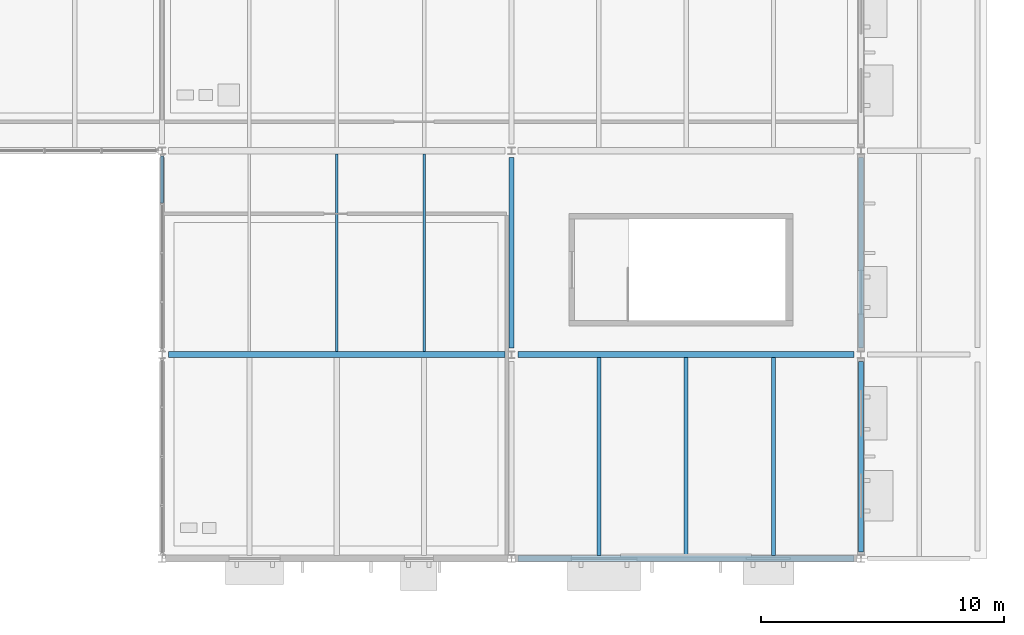
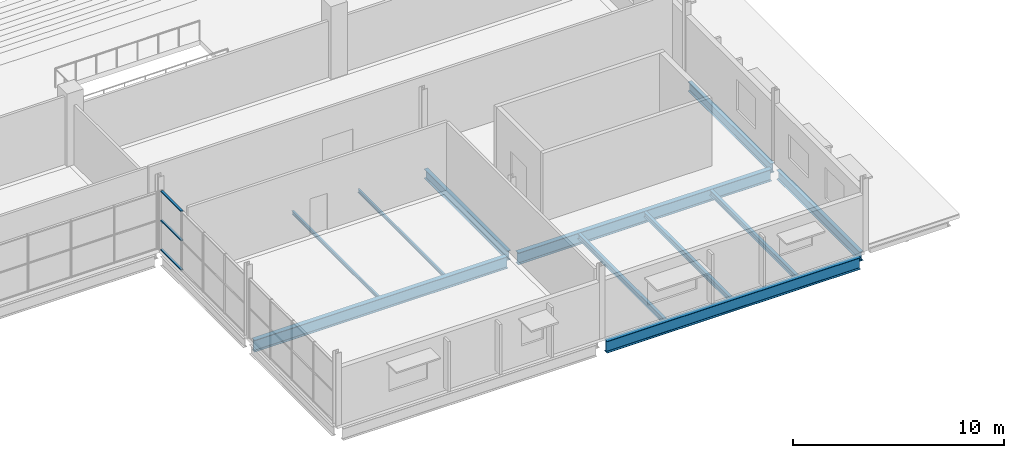
# One storey, part 41 of 161: 11 beams, 3 members, 1 element without a shape of its own.
"""IFC4 building model written with IfcOpenShell, lengths in metres."""

from ifc_helpers import new_model, si_unit, direction, frame, origin, origin_2d, place, context, subcontext, project, spatial, hollow_rectangle, i_section, extrude, material, material_profile, profile_set, type_object, element, aggregate, save


model = new_model("IFC4")

# Units and contexts
model_context = context("Model", 3, precision=1e-05, world=origin(), true_north=direction((0.0, 1.0)))
body_context = subcontext(model_context, "Body", "Model", "MODEL_VIEW")
ifc_project = project(units=[si_unit("LENGTHUNIT", "METRE"), si_unit("AREAUNIT", "SQUARE_METRE"), si_unit("VOLUMEUNIT", "CUBIC_METRE"), si_unit("PLANEANGLEUNIT", "RADIAN"), si_unit("MASSUNIT", "GRAM", prefix="KILO"), si_unit("THERMODYNAMICTEMPERATUREUNIT", "KELVIN")], contexts=[model_context])

# Site, building, storey
site_placement = place(None, origin())
site = spatial("IfcSite", under=ifc_project, at=site_placement, CompositionType="ELEMENT")
building_placement = place(site_placement, origin())
building = spatial("IfcBuilding", under=site, at=building_placement, Name="Nduvali Passage Aquatics Centre", CompositionType="ELEMENT")
storey_placement = place(building_placement, frame((0.0, 0.0, 4.800048828125)))
storey = spatial("IfcBuildingStorey", under=building, at=storey_placement, Name="L01", CompositionType="ELEMENT", Elevation=4.800048828125)

# Curtain wall, members
ifc_material_1 = material(Name="Aluminium EN AW-6063 T6", Category="aluminium")
curtain_wall_type = type_object("IfcCurtainWallType", Name="ENV-CW-COUR", PredefinedType="NOTDEFINED", material=ifc_material_1)
curtain_wall_placement = place(storey_placement, origin())
curtain_wall = element("IfcCurtainWall", 1, at=curtain_wall_placement, inside=storey, type_object=curtain_wall_type, Name="L01 Courtyard East Upper Cloister CW 174", PredefinedType="NOTDEFINED")
ifc_material_profile_1 = material_profile(ifc_material_1, hollow_rectangle(XDim=0.1201171875, YDim=0.06005859375, WallThickness=0.00390625, at=origin_2d()), Name="ALU TRANSOM 120x60x4")
ifc_profile_set_1 = profile_set([ifc_material_profile_1], Name="Aluminium EN AW-6063 T6")
member_type = type_object("IfcMemberType", Name="ENV-MEM-TRN60", PredefinedType="USERDEFINED", material=ifc_profile_set_1)
member_1_placement = place(storey_placement, frame((97.199951171875, 14.652587890625, 0.030029296875), z_axis=(0.0, 1.0, 0.0), x_axis=(-1.0, 0.0, 0.0)))
member_1 = element("IfcMember", 2, at=member_1_placement, type_object=member_type, Name="Courtyard East Upper Cloister CW Transom B4-R0", ObjectType="TRANSOM", PredefinedType="USERDEFINED", context=body_context, shape_type="SweptSolid", body=[
    extrude(hollow_rectangle(XDim=0.1201171875, YDim=0.06005859375, WallThickness=0.00390625, at=origin_2d()), origin(), (0.0, 0.0, 1.0), 1.9375),
])
member_2_placement = place(storey_placement, frame((97.199951171875, 14.652587890625, 1.71826171875), z_axis=(0.0, 1.0, 0.0), x_axis=(-1.0, 0.0, 0.0)))
member_2 = element("IfcMember", 3, at=member_2_placement, type_object=member_type, Name="Courtyard East Upper Cloister CW Transom B4-R1", ObjectType="TRANSOM", PredefinedType="USERDEFINED", context=body_context, shape_type="SweptSolid", body=[
    extrude(hollow_rectangle(XDim=0.1201171875, YDim=0.06005859375, WallThickness=0.00390625, at=origin_2d()), origin(), (0.0, 0.0, 1.0), 1.9375),
])
member_3_placement = place(storey_placement, frame((97.199951171875, 14.652587890625, 3.40625), z_axis=(0.0, 1.0, 0.0), x_axis=(-1.0, 0.0, 0.0)))
member_3 = element("IfcMember", 4, at=member_3_placement, type_object=member_type, Name="Courtyard East Upper Cloister CW Transom B4-R2", ObjectType="TRANSOM", PredefinedType="USERDEFINED", context=body_context, shape_type="SweptSolid", body=[
    extrude(hollow_rectangle(XDim=0.1201171875, YDim=0.06005859375, WallThickness=0.00390625, at=origin_2d()), origin(), (0.0, 0.0, 1.0), 1.9375),
])
aggregate(curtain_wall, [member_1, member_2, member_3])

# Beams
ifc_material_2 = material(Name="Steel S355", Category="steel")
ifc_material_profile_2 = material_profile(ifc_material_2, i_section(OverallWidth=0.210693359375, OverallDepth=0.53955078125, WebThickness=0.01171875, FlangeThickness=0.018798828125, FilletRadius=0.0126953125, at=origin_2d()), Name="UKB 533x210x109")
ifc_profile_set_2 = profile_set([ifc_material_profile_2], Name="Steel S355")
beam_type_1 = type_object("IfcBeamType", Name="STR-BM-UKB533", PredefinedType="BEAM", material=ifc_profile_set_2)
beam_1_placement = place(storey_placement, frame((111.60009765625, 8.675048828125, -0.553955078125), z_axis=(0.0, 1.0, 0.0), x_axis=(-1.0, 0.0, 0.0)))
element("IfcBeam", 5, at=beam_1_placement, inside=storey, type_object=beam_type_1, Name="L01 Primary Y-Girder B6-0615", PredefinedType="BEAM", context=body_context, shape_type="SweptSolid", body=[
    extrude(i_section(OverallWidth=0.210693359375, OverallDepth=0.53955078125, WebThickness=0.01171875, FlangeThickness=0.018798828125, FilletRadius=0.0126953125, at=origin_2d()), origin(), (0.0, 0.0, 1.0), 7.849853515625),
])
ifc_material_profile_3 = material_profile(ifc_material_2, i_section(OverallWidth=0.210693359375, OverallDepth=0.53955078125, WebThickness=0.01171875, FlangeThickness=0.018798828125, FilletRadius=0.0126953125, at=origin_2d()), Name="UKB 533x210x109")
ifc_profile_set_3 = profile_set([ifc_material_profile_3], Name="Steel S355")
beam_type_2 = type_object("IfcBeamType", Name="STR-BM-UKB533-EXT", PredefinedType="BEAM", material=ifc_profile_set_3)
beam_2_placement = place(storey_placement, frame((126.0, 0.27490234375, -0.553955078125), z_axis=(0.0, 1.0, 0.0), x_axis=(-1.0, 0.0, 0.0)))
element("IfcBeam", 6, at=beam_2_placement, inside=storey, type_object=beam_type_2, Name="L01 Primary Y-Girder B6E-0622", PredefinedType="BEAM", context=body_context, shape_type="SweptSolid", body=[
    extrude(i_section(OverallWidth=0.210693359375, OverallDepth=0.53955078125, WebThickness=0.01171875, FlangeThickness=0.018798828125, FilletRadius=0.0126953125, at=origin_2d()), origin(), (0.0, 0.0, 1.0), 7.85009765625),
])
beam_3_placement = place(storey_placement, frame((126.0, 8.675048828125, -0.553955078125), z_axis=(0.0, 1.0, 0.0), x_axis=(-1.0, 0.0, 0.0)))
element("IfcBeam", 7, at=beam_3_placement, inside=storey, type_object=beam_type_2, Name="L01 Primary Y-Girder B6E-0623", PredefinedType="BEAM", context=body_context, shape_type="SweptSolid", body=[
    extrude(i_section(OverallWidth=0.210693359375, OverallDepth=0.53955078125, WebThickness=0.01171875, FlangeThickness=0.018798828125, FilletRadius=0.0126953125, at=origin_2d()), origin(), (0.0, 0.0, 1.0), 7.849853515625),
])
ifc_material_profile_4 = material_profile(ifc_material_2, i_section(OverallWidth=0.253662109375, OverallDepth=0.68359375, WebThickness=0.012451171875, FlangeThickness=0.01904296875, FilletRadius=0.01513671875, at=origin_2d()), Name="UKB 686x254x140")
ifc_profile_set_4 = profile_set([ifc_material_profile_4], Name="Steel S355")
beam_type_3 = type_object("IfcBeamType", Name="STR-BM-UKB686", PredefinedType="BEAM", material=ifc_profile_set_4)
beam_4_placement = place(storey_placement, frame((97.47509765625, 8.39990234375, -0.625732421875), z_axis=(1.0, 0.0, 0.0), x_axis=(0.0, 1.0, 0.0)))
element("IfcBeam", 8, at=beam_4_placement, inside=storey, type_object=beam_type_3, Name="L01 Primary X-Girder B4-0433", PredefinedType="BEAM", context=body_context, shape_type="SweptSolid", body=[
    extrude(i_section(OverallWidth=0.253662109375, OverallDepth=0.68359375, WebThickness=0.012451171875, FlangeThickness=0.01904296875, FilletRadius=0.01513671875, at=origin_2d()), origin(), (0.0, 0.0, 1.0), 13.849853515625),
])
beam_5_placement = place(storey_placement, frame((111.875, 8.39990234375, -0.625732421875), z_axis=(1.0, 0.0, 0.0), x_axis=(0.0, 1.0, 0.0)))
element("IfcBeam", 9, at=beam_5_placement, inside=storey, type_object=beam_type_3, Name="L01 Primary X-Girder B4-0434", PredefinedType="BEAM", context=body_context, shape_type="SweptSolid", body=[
    extrude(i_section(OverallWidth=0.253662109375, OverallDepth=0.68359375, WebThickness=0.012451171875, FlangeThickness=0.01904296875, FilletRadius=0.01513671875, at=origin_2d()), origin(), (0.0, 0.0, 1.0), 13.85009765625),
])
ifc_material_profile_5 = material_profile(ifc_material_2, i_section(OverallWidth=0.253662109375, OverallDepth=0.68359375, WebThickness=0.012451171875, FlangeThickness=0.01904296875, FilletRadius=0.01513671875, at=origin_2d()), Name="UKB 686x254x140")
ifc_profile_set_5 = profile_set([ifc_material_profile_5], Name="Steel S355")
beam_type_4 = type_object("IfcBeamType", Name="STR-BM-UKB686-EXT", PredefinedType="BEAM", material=ifc_profile_set_5)
beam_6_placement = place(storey_placement, frame((111.875, 0.0, -0.625732421875), z_axis=(1.0, 0.0, 0.0), x_axis=(0.0, 1.0, 0.0)))
element("IfcBeam", 10, at=beam_6_placement, inside=storey, type_object=beam_type_4, Name="L01 Primary X-Girder B4E-0429", PredefinedType="BEAM", context=body_context, shape_type="SweptSolid", body=[
    extrude(i_section(OverallWidth=0.253662109375, OverallDepth=0.68359375, WebThickness=0.012451171875, FlangeThickness=0.01904296875, FilletRadius=0.01513671875, at=origin_2d()), origin(), (0.0, 0.0, 1.0), 13.85009765625),
])
ifc_material_profile_6 = material_profile(ifc_material_2, i_section(OverallWidth=0.10009765625, OverallDepth=0.199951171875, WebThickness=0.005615234375, FlangeThickness=0.008544921875, FilletRadius=0.011962890625, at=origin_2d()), Name="IPE 200")
ifc_profile_set_6 = profile_set([ifc_material_profile_6], Name="Steel S355")
beam_type_5 = type_object("IfcBeamType", Name="STR-JST-IPE200", PredefinedType="JOIST", material=ifc_profile_set_6)
for number, where, z_axis, x_axis, name in (
    (11, (104.39990234375, 8.52685546875, -0.384033203125), (0.0, 1.0, 0.0), (-1.0, 0.0, 0.0), "L01 Secondary Joist J9A-0707"),
    (12, (108.0, 8.52685546875, -0.384033203125), (0.0, 1.0, 0.0), (-1.0, 0.0, 0.0), "L01 Secondary Joist J9A-0708"),
):
    element("IfcBeam", number, at=place(storey_placement, frame(where, z_axis=z_axis, x_axis=x_axis)), inside=storey, type_object=beam_type_5, Name=name, PredefinedType="JOIST", context=body_context, shape_type="SweptSolid", body=[
        extrude(i_section(OverallWidth=0.10009765625, OverallDepth=0.199951171875, WebThickness=0.005615234375, FlangeThickness=0.008544921875, FilletRadius=0.011962890625, at=origin_2d()), origin(), (0.0, 0.0, 1.0), 8.146240234375),
    ])
ifc_material_profile_7 = material_profile(ifc_material_2, i_section(OverallWidth=0.165771484375, OverallDepth=0.306640625, WebThickness=0.006591796875, FlangeThickness=0.01171875, FilletRadius=0.0087890625, at=origin_2d()), Name="UKB 305x165x46")
ifc_profile_set_7 = profile_set([ifc_material_profile_7], Name="Steel S355")
beam_type_6 = type_object("IfcBeamType", Name="STR-JST-UKB305", PredefinedType="JOIST", material=ifc_profile_set_7)
for number, where, z_axis, x_axis, name in (
    (13, (115.199951171875, 0.126708984375, -0.437255859375), (0.0, 1.0, 0.0), (-1.0, 0.0, 0.0), "L01 Secondary Joist J3-0699"),
    (14, (118.800048828125, 0.126708984375, -0.437255859375), (0.0, 1.0, 0.0), (-1.0, 0.0, 0.0), "L01 Secondary Joist J3-0700"),
    (15, (122.39990234375, 0.126708984375, -0.437255859375), (0.0, 1.0, 0.0), (-1.0, 0.0, 0.0), "L01 Secondary Joist J3-0701"),
):
    element("IfcBeam", number, at=place(storey_placement, frame(where, z_axis=z_axis, x_axis=x_axis)), inside=storey, type_object=beam_type_6, Name=name, PredefinedType="JOIST", context=body_context, shape_type="SweptSolid", body=[
        extrude(i_section(OverallWidth=0.165771484375, OverallDepth=0.306640625, WebThickness=0.006591796875, FlangeThickness=0.01171875, FilletRadius=0.0087890625, at=origin_2d()), origin(), (0.0, 0.0, 1.0), 8.146484375),
    ])

save(model, "model.ifc")
